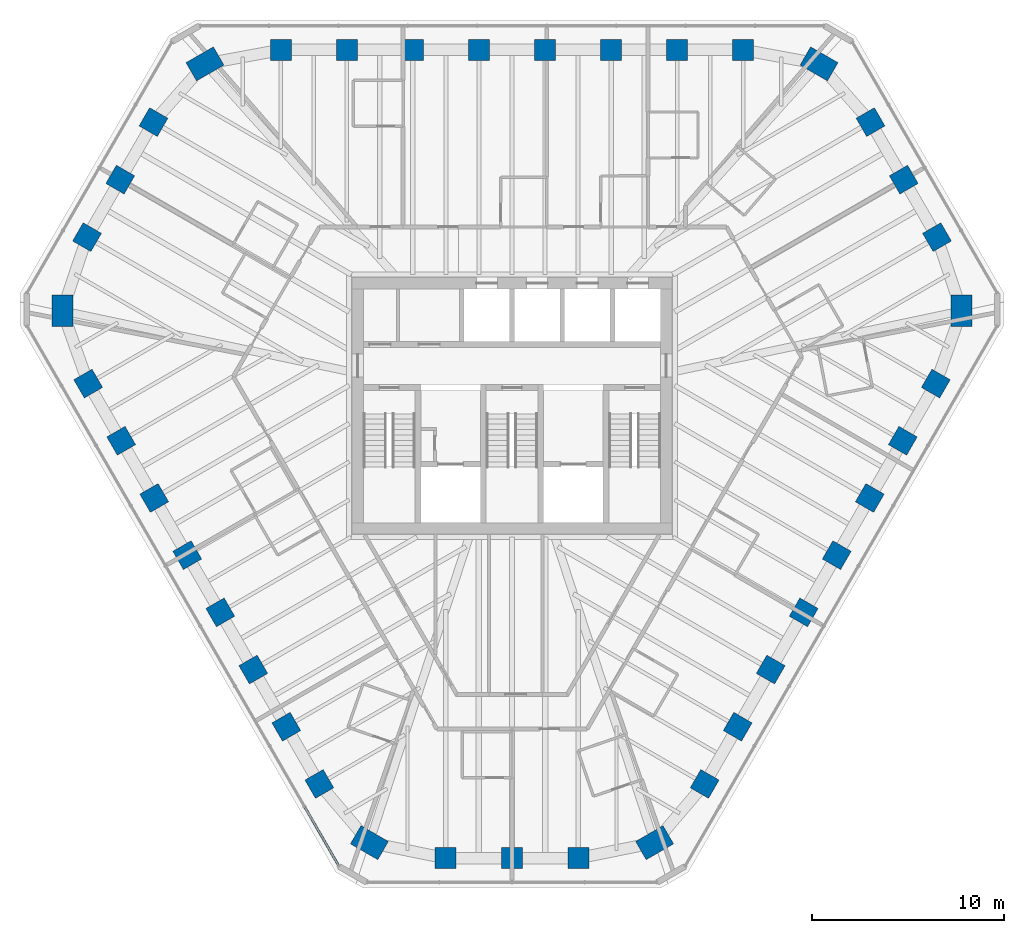
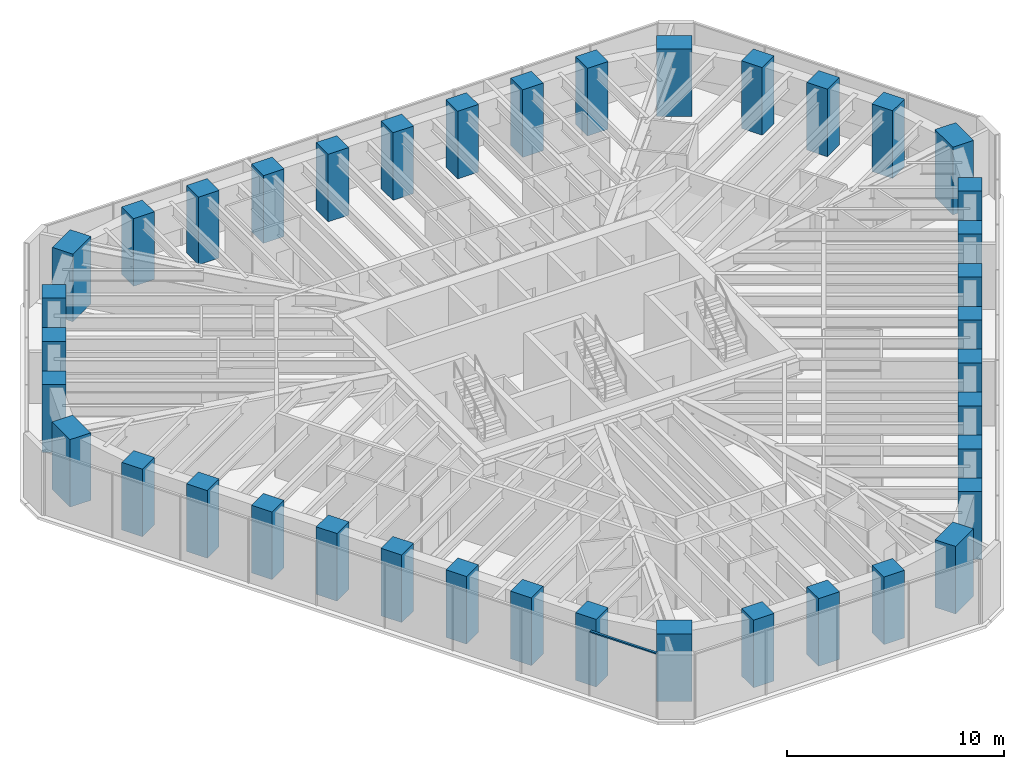
# One storey, part 1 of 14: 39 columns, 1 member, 1 element without a shape of its own.
"""IFC4 building model written with IfcOpenShell, lengths in metres."""

from ifc_helpers import new_model, si_unit, direction, frame, origin, origin_2d, place, context, subcontext, project, spatial, rectangle, extrude, material, material_profile, profile_set, type_object, element, aggregate, save


model = new_model("IFC4")

# Units and contexts
model_context = context("Model", 3, precision=1e-05, world=origin(), true_north=direction((0.0, 1.0)))
body_context = subcontext(model_context, "Body", "Model", "MODEL_VIEW")
ifc_project = project(units=[si_unit("LENGTHUNIT", "METRE"), si_unit("AREAUNIT", "SQUARE_METRE"), si_unit("VOLUMEUNIT", "CUBIC_METRE"), si_unit("PLANEANGLEUNIT", "RADIAN"), si_unit("MASSUNIT", "GRAM", prefix="KILO")], contexts=[model_context])

# Site, building, storey
site_placement = place(None, origin())
site = spatial("IfcSite", under=ifc_project, at=site_placement, CompositionType="ELEMENT")
building_placement = place(site_placement, origin())
building = spatial("IfcBuilding", under=site, at=building_placement, Name="Sandreach Pilgrim Tower", CompositionType="ELEMENT")
storey_placement = place(building_placement, frame((0.0, 0.0, 276.0)))
storey = spatial("IfcBuildingStorey", under=building, at=storey_placement, Name="L69", CompositionType="ELEMENT", Elevation=276.0)

# Columns
ifc_material_1 = material(Name="Concrete 10000 psi", Category="concrete")
ifc_material_profile_1 = material_profile(ifc_material_1, rectangle(XDim=1.10009765625, YDim=1.10009765625, at=origin_2d()), Name="RC1100X1100")
ifc_profile_set_1 = profile_set([ifc_material_profile_1], Name="Concrete 10000 psi")
column_type_1 = type_object("IfcColumnType", Name="Tube column RC1100X1100", PredefinedType="COLUMN", material=ifc_profile_set_1)
for number, where, z_axis, x_axis, name in (
    (1, (-12.0576171875, 18.56640625, 0.0), (0.0, 0.0, 1.0), (0.0, 1.0, 0.0), "COL L69 T01"),
    (2, (-8.612548828125, 18.56640625, 0.0), (0.0, 0.0, 1.0), (0.0, 1.0, 0.0), "COL L69 T02"),
    (3, (-5.16748046875, 18.56640625, 0.0), (0.0, 0.0, 1.0), (0.0, 1.0, 0.0), "COL L69 T03"),
    (4, (-1.722412109375, 18.56640625, 0.0), (0.0, 0.0, 1.0), (0.0, 1.0, 0.0), "COL L69 T04"),
    (5, (1.722412109375, 18.56640625, 0.0), (0.0, 0.0, 1.0), (0.0, 1.0, 0.0), "COL L69 T05"),
    (6, (5.16748046875, 18.56640625, 0.0), (0.0, 0.0, 1.0), (0.0, 1.0, 0.0), "COL L69 T06"),
    (7, (8.612548828125, 18.56640625, 0.0), (0.0, 0.0, 1.0), (0.0, 1.0, 0.0), "COL L69 T07"),
    (8, (12.0576171875, 18.56640625, 0.0), (0.0, 0.0, 1.0), (0.0, 1.0, 0.0), "COL L69 T08"),
    (9, (18.70361328125, 14.80029296875, 0.0), (0.0, 0.0, 1.0), (0.866025403784, 0.5, 0.0), "COL L69 T10"),
    (10, (20.4365234375, 11.799072265625, 0.0), (0.0, 0.0, 1.0), (0.866025403784, 0.5, 0.0), "COL L69 T11"),
    (11, (22.169189453125, 8.7978515625, 0.0), (0.0, 0.0, 1.0), (0.866025403784, 0.5, 0.0), "COL L69 T12"),
    (12, (22.10791015625, 1.158935546875, 0.0), (0.0, 0.0, 1.0), (0.866025403784, -0.5, 0.0), "COL L69 T14"),
    (13, (20.38525390625, -1.824462890625, 0.0), (0.0, 0.0, 1.0), (0.866025403784, -0.5, 0.0), "COL L69 T15"),
    (14, (18.662841796875, -4.80810546875, 0.0), (0.0, 0.0, 1.0), (0.866025403784, -0.5, 0.0), "COL L69 T16"),
    (15, (16.940185546875, -7.79150390625, 0.0), (0.0, 0.0, 1.0), (0.866025403784, -0.5, 0.0), "COL L69 T17"),
    (16, (15.2177734375, -10.77490234375, 0.0), (0.0, 0.0, 1.0), (0.866025403784, -0.5, 0.0), "COL L69 T18"),
    (17, (13.4951171875, -13.758544921875, 0.0), (0.0, 0.0, 1.0), (0.866025403784, -0.5, 0.0), "COL L69 T19"),
    (18, (11.772705078125, -16.741943359375, 0.0), (0.0, 0.0, 1.0), (0.866025403784, -0.5, 0.0), "COL L69 T20"),
    (19, (10.05029296875, -19.725341796875, 0.0), (0.0, 0.0, 1.0), (0.866025403784, -0.5, 0.0), "COL L69 T21"),
    (20, (3.465576171875, -23.59814453125, 0.0), (0.0, 0.0, 1.0), (0.0, -1.0, 0.0), "COL L69 T23"),
    (21, (0.0, -23.59814453125, 0.0), (0.0, 0.0, 1.0), (0.0, -1.0, 0.0), "COL L69 T24"),
    (22, (-3.465576171875, -23.59814453125, 0.0), (0.0, 0.0, 1.0), (0.0, -1.0, 0.0), "COL L69 T25"),
    (23, (-10.05029296875, -19.725341796875, 0.0), (0.0, 0.0, 1.0), (-0.866025403784, -0.5, 0.0), "COL L69 T27"),
    (24, (-11.772705078125, -16.741943359375, 0.0), (0.0, 0.0, 1.0), (-0.866025403784, -0.5, 0.0), "COL L69 T28"),
    (25, (-13.4951171875, -13.758544921875, 0.0), (0.0, 0.0, 1.0), (-0.866025403784, -0.5, 0.0), "COL L69 T29"),
    (26, (-15.2177734375, -10.77490234375, 0.0), (0.0, 0.0, 1.0), (-0.866025403784, -0.5, 0.0), "COL L69 T30"),
    (27, (-16.940185546875, -7.79150390625, 0.0), (0.0, 0.0, 1.0), (-0.866025403784, -0.5, 0.0), "COL L69 T31"),
    (28, (-18.662841796875, -4.80810546875, 0.0), (0.0, 0.0, 1.0), (-0.866025403784, -0.5, 0.0), "COL L69 T32"),
    (29, (-20.38525390625, -1.824462890625, 0.0), (0.0, 0.0, 1.0), (-0.866025403784, -0.5, 0.0), "COL L69 T33"),
    (30, (-22.10791015625, 1.158935546875, 0.0), (0.0, 0.0, 1.0), (-0.866025403784, -0.5, 0.0), "COL L69 T34"),
    (31, (-22.169189453125, 8.7978515625, 0.0), (0.0, 0.0, 1.0), (-0.866025403784, 0.5, 0.0), "COL L69 T36"),
    (32, (-20.4365234375, 11.799072265625, 0.0), (0.0, 0.0, 1.0), (-0.866025403784, 0.5, 0.0), "COL L69 T37"),
    (33, (-18.70361328125, 14.80029296875, 0.0), (0.0, 0.0, 1.0), (-0.866025403784, 0.5, 0.0), "COL L69 T38"),
):
    element("IfcColumn", number, at=place(storey_placement, frame(where, z_axis=z_axis, x_axis=x_axis)), inside=storey, type_object=column_type_1, Name=name, PredefinedType="COLUMN", context=body_context, shape_type="SweptSolid", body=[
        extrude(rectangle(XDim=1.10009765625, YDim=1.10009765625, at=origin_2d()), origin(), (0.0, 0.0, 1.0), 3.800048828125),
    ])
ifc_material_2 = material(Name="Concrete 10000 psi", Category="concrete")
ifc_material_profile_2 = material_profile(ifc_material_2, rectangle(XDim=1.10009765625, YDim=1.64990234375, at=origin_2d()), Name="RC1100X1650")
ifc_profile_set_2 = profile_set([ifc_material_profile_2], Name="Concrete 10000 psi")
column_type_2 = type_object("IfcColumnType", Name="Tube corner pier RC1100X1650", PredefinedType="COLUMN", material=ifc_profile_set_2)
for number, where, z_axis, x_axis, name in (
    (34, (16.0166015625, 17.837158203125, 0.0), (0.0, 0.0, 1.0), (0.5, 0.866025403784, 0.0), "COL L69 T09"),
    (35, (23.455810546875, 4.952392578125, 0.0), (0.0, 0.0, 1.0), (1.0, 0.0, 0.0), "COL L69 T13"),
    (36, (7.439208984375, -22.78955078125, 0.0), (0.0, 0.0, 1.0), (0.5, -0.866025403784, 0.0), "COL L69 T22"),
    (37, (-7.439208984375, -22.78955078125, 0.0), (0.0, 0.0, 1.0), (-0.5, -0.866025403784, 0.0), "COL L69 T26"),
    (38, (-23.455810546875, 4.952392578125, 0.0), (0.0, 0.0, 1.0), (-1.0, 0.0, 0.0), "COL L69 T35"),
    (39, (-16.0166015625, 17.837158203125, 0.0), (0.0, 0.0, 1.0), (-0.5, 0.866025403784, 0.0), "COL L69 T39"),
):
    element("IfcColumn", number, at=place(storey_placement, frame(where, z_axis=z_axis, x_axis=x_axis)), inside=storey, type_object=column_type_2, Name=name, PredefinedType="COLUMN", context=body_context, shape_type="SweptSolid", body=[
        extrude(rectangle(XDim=1.10009765625, YDim=1.64990234375, at=origin_2d()), origin(), (0.0, 0.0, 1.0), 3.800048828125),
    ])

# Curtain wall, member
ifc_material_3 = material(Name="Aluminium framed curtain wall", Category="aluminium")
curtain_wall_type = type_object("IfcCurtainWallType", Name="Suite tower curtain wall", PredefinedType="NOTDEFINED", material=ifc_material_3)
curtain_wall_placement = place(storey_placement, origin())
curtain_wall = element("IfcCurtainWall", 40, at=curtain_wall_placement, inside=storey, type_object=curtain_wall_type, Name="CW-4 L69 SW", PredefinedType="NOTDEFINED")
ifc_material_4 = material(Name="Aluminium extrusion", Category="aluminium")
ifc_material_profile_3 = material_profile(ifc_material_4, rectangle(XDim=0.1201171875, YDim=0.070068359375, at=origin_2d()), Name="CW-4T 120X70")
ifc_profile_set_3 = profile_set([ifc_material_profile_3], Name="Aluminium extrusion")
member_type = type_object("IfcMemberType", Name="CW-4 transom", PredefinedType="USERDEFINED", material=ifc_profile_set_3)
member_placement = place(storey_placement, frame((-9.051025390625, -23.97607421875, 3.60498046875), z_axis=(-0.499997709859, 0.866026725994, 0.0), x_axis=(-0.866026725994, -0.499997709859, 0.0)))
member = element("IfcMember", 41, at=member_placement, type_object=member_type, Name="CW-4 head transom 1", ObjectType="TRANSOM", PredefinedType="USERDEFINED", context=body_context, shape_type="SweptSolid", body=[
    extrude(rectangle(XDim=0.1201171875, YDim=0.070068359375, at=origin_2d()), origin(), (0.0, 0.0, 1.0), 3.53173828125),
])
aggregate(curtain_wall, [member])

save(model, "model.ifc")
